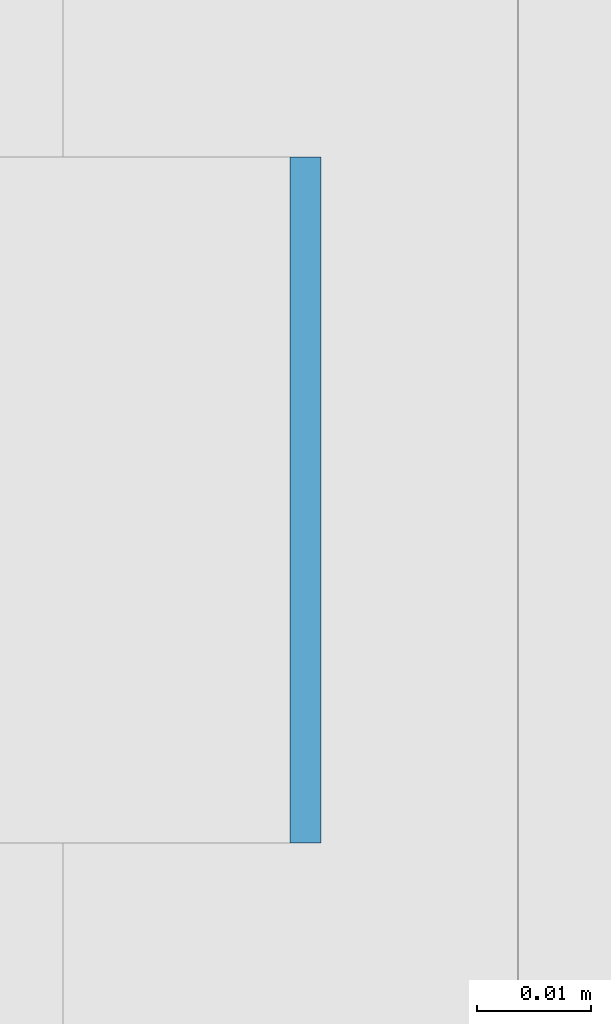
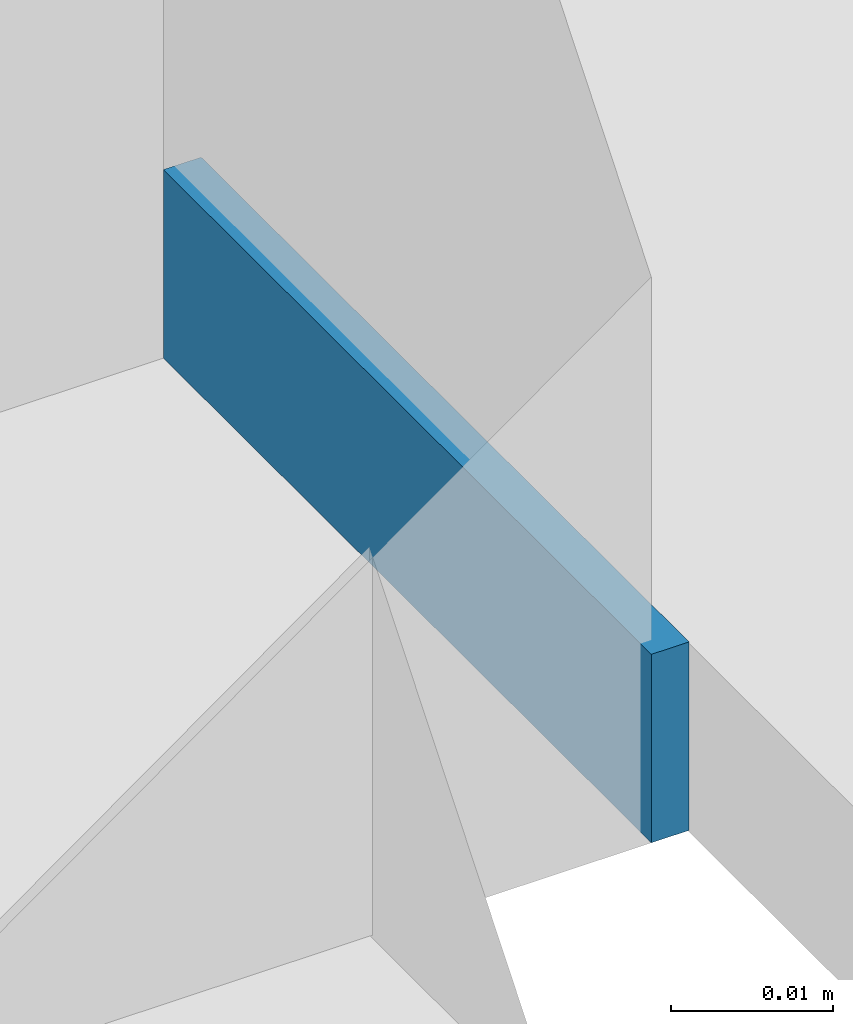
# One storey, part 328 of 646: 1 discrete accessory.
"""IFC4 building model written with IfcOpenShell, lengths in metres."""

from ifc_helpers import new_model, si_unit, direction, frame, origin, origin_2d, place, context, subcontext, project, spatial, rectangle, extrude, material, type_object, element, save


model = new_model("IFC4")

# Units and contexts
model_context = context("Model", 3, precision=1e-05, world=origin(), true_north=direction((0.0, 1.0)))
body_context = subcontext(model_context, "Body", "Model", "MODEL_VIEW")
ifc_project = project(units=[si_unit("LENGTHUNIT", "METRE"), si_unit("AREAUNIT", "SQUARE_METRE"), si_unit("VOLUMEUNIT", "CUBIC_METRE"), si_unit("PLANEANGLEUNIT", "RADIAN"), si_unit("MASSUNIT", "GRAM", prefix="KILO")], contexts=[model_context])

# Site, building, storey
site_placement = place(None, origin())
site = spatial("IfcSite", under=ifc_project, at=site_placement, CompositionType="ELEMENT")
building_placement = place(site_placement, origin())
building = spatial("IfcBuilding", under=site, at=building_placement, Name="Silverbay Arena", CompositionType="ELEMENT")
storey_placement = place(building_placement, frame((0.0, 0.0, 33.5)))
storey = spatial("IfcBuildingStorey", under=building, at=storey_placement, Name="L05", CompositionType="ELEMENT", Elevation=33.5)

# Discrete accessory
ifc_material = material(Name="Steel S355", Category="steel")
discrete_accessory_type = type_object("IfcDiscreteAccessoryType", Name="Steel bracket plate", PredefinedType="BRACKET", material=ifc_material)
discrete_accessory_placement = place(storey_placement, frame((53.871337890625, 78.428466796875, 4.0), z_axis=(0.0, 0.0, 1.0), x_axis=(1.0, 0.0, 0.0)))
element("IfcDiscreteAccessory", 1, at=discrete_accessory_placement, inside=storey, type_object=discrete_accessory_type, Name="Curtain wall packing plate", PredefinedType="BRACKET", context=body_context, shape_type="SweptSolid", body=[
    extrude(rectangle(XDim=0.002685546875, YDim=0.06005859375, at=origin_2d()), origin(), (0.0, 0.0, 1.0), 0.01416015625),
])

save(model, "model.ifc")
